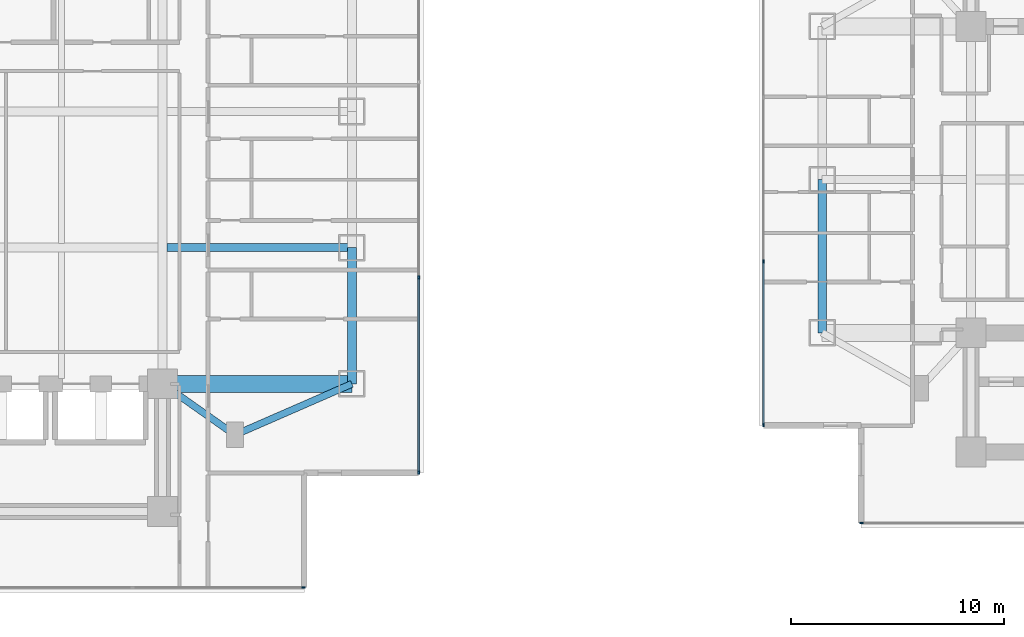
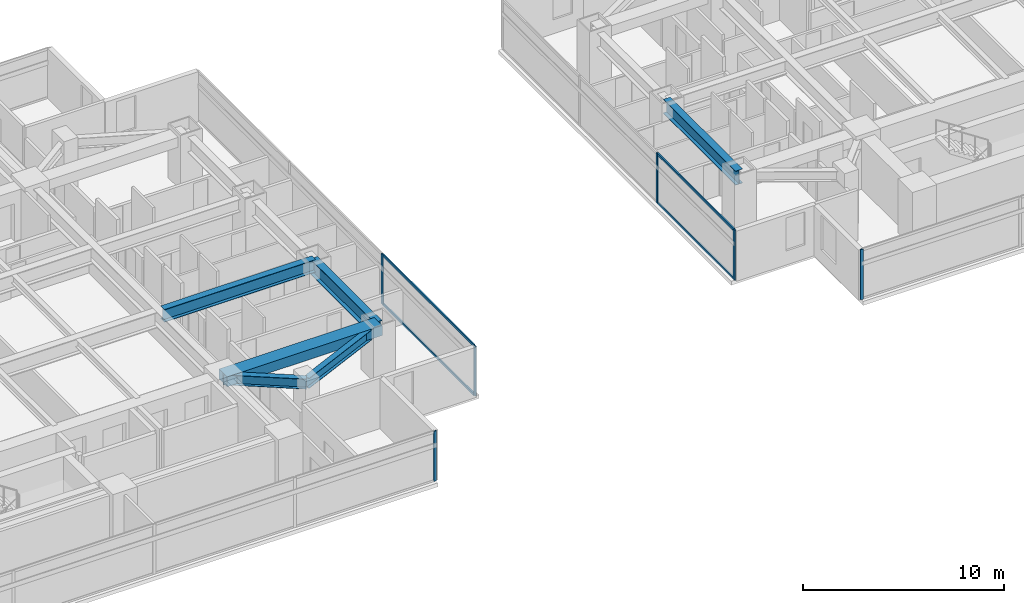
# One storey, part 4 of 23: 10 members, 6 beams, 4 elements without a shape of their own.
"""IFC4 building model written with IfcOpenShell, lengths in metres."""

from ifc_helpers import new_model, si_unit, direction, frame, origin, origin_2d, place, context, subcontext, project, spatial, rectangle, i_section, extrude, material, material_profile, profile_set, type_object, element, aggregate, save


model = new_model("IFC4")

# Units and contexts
model_context = context("Model", 3, precision=1e-05, world=origin(), true_north=direction((0.0, 1.0)))
body_context = subcontext(model_context, "Body", "Model", "MODEL_VIEW")
ifc_project = project(units=[si_unit("LENGTHUNIT", "METRE"), si_unit("AREAUNIT", "SQUARE_METRE"), si_unit("VOLUMEUNIT", "CUBIC_METRE"), si_unit("PLANEANGLEUNIT", "RADIAN"), si_unit("MASSUNIT", "GRAM", prefix="KILO")], contexts=[model_context])

# Site, building, storey
site_placement = place(None, origin())
site = spatial("IfcSite", under=ifc_project, at=site_placement, CompositionType="ELEMENT")
building_placement = place(site_placement, origin())
building = spatial("IfcBuilding", under=site, at=building_placement, Name="Mirazonda Arch Towers", CompositionType="ELEMENT")
storey_placement = place(building_placement, frame((0.0, 0.0, 29.0)))
storey = spatial("IfcBuildingStorey", under=building, at=storey_placement, Name="L07", CompositionType="ELEMENT", Elevation=29.0)

# Beams
ifc_material_1 = material(Name="Steel ASTM A992 Grade 50", Category="steel")
ifc_material_profile_1 = material_profile(ifc_material_1, i_section(OverallWidth=0.39990234375, OverallDepth=0.85595703125, WebThickness=0.018310546875, FlangeThickness=0.029296875, at=origin_2d()), Name="W33X201")
ifc_profile_set_1 = profile_set([ifc_material_profile_1], Name="Steel ASTM A992 Grade 50")
beam_type_1 = type_object("IfcBeamType", Name="BM-EXT-W33X201", PredefinedType="USERDEFINED", material=ifc_profile_set_1)
beam_1_placement = place(storey_placement, frame((61.0, 20.800048828125, 2.632080078125), z_axis=(0.0, 1.0, 0.0), x_axis=(-1.0, 0.0, 0.0)))
element("IfcBeam", 1, at=beam_1_placement, inside=storey, type_object=beam_type_1, Name="L07 Floor Beam BM-T2-L07-NS-W-20", ObjectType="GIRDER", PredefinedType="USERDEFINED", context=body_context, shape_type="SweptSolid", body=[
    extrude(i_section(OverallWidth=0.39990234375, OverallDepth=0.85595703125, WebThickness=0.018310546875, FlangeThickness=0.029296875, at=origin_2d()), origin(), (0.0, 0.0, 1.0), 7.199951171875),
])
ifc_material_profile_2 = material_profile(ifc_material_1, i_section(OverallWidth=0.41796875, OverallDepth=0.927001953125, WebThickness=0.019287109375, FlangeThickness=0.031982421875, at=origin_2d()), Name="W36X231")
ifc_profile_set_2 = profile_set([ifc_material_profile_2], Name="Steel ASTM A992 Grade 50")
beam_type_2 = type_object("IfcBeamType", Name="BM-EXT-W36X231", PredefinedType="USERDEFINED", material=ifc_profile_set_2)
beam_2_placement = place(storey_placement, frame((38.89990234375, 18.39990234375, 2.596435546875), z_axis=(0.0, 1.0, 0.0), x_axis=(-1.0, 0.0, 0.0)))
element("IfcBeam", 2, at=beam_2_placement, inside=storey, type_object=beam_type_2, Name="L07 Floor Beam BM-T1-L07-NS-E-18", ObjectType="GIRDER", PredefinedType="USERDEFINED", context=body_context, shape_type="SweptSolid", body=[
    extrude(i_section(OverallWidth=0.41796875, OverallDepth=0.927001953125, WebThickness=0.019287109375, FlangeThickness=0.031982421875, at=origin_2d()), origin(), (0.0, 0.0, 1.0), 6.400146484375),
])
ifc_material_profile_3 = material_profile(ifc_material_1, i_section(OverallWidth=0.324951171875, OverallDepth=0.615966796875, WebThickness=0.013916015625, FlangeThickness=0.021484375, at=origin_2d()), Name="W24X117")
ifc_profile_set_3 = profile_set([ifc_material_profile_3], Name="Steel ASTM A992 Grade 50")
beam_type_3 = type_object("IfcBeamType", Name="BM-INT-W24X117", PredefinedType="BEAM", material=ifc_profile_set_3)
beam_3_placement = place(storey_placement, frame((33.39990234375, 16.0, 2.751953125), z_axis=(-0.816971114901, 0.576678591087, 0.0), x_axis=(-0.576678591087, -0.816971114901, 0.0)))
element("IfcBeam", 3, at=beam_3_placement, inside=storey, type_object=beam_type_3, Name="L07 Floor Beam BM-T1-L07-PL-SE1", PredefinedType="BEAM", context=body_context, shape_type="SweptSolid", body=[
    extrude(i_section(OverallWidth=0.324951171875, OverallDepth=0.615966796875, WebThickness=0.013916015625, FlangeThickness=0.021484375, at=origin_2d()), origin(), (0.0, 0.0, 1.0), 4.16162109375),
])
beam_4_placement = place(storey_placement, frame((33.39990234375, 16.0, 2.751953125), z_axis=(0.916545343703, 0.399930785183, 0.0), x_axis=(-0.399930785183, 0.916545343703, 0.0)))
element("IfcBeam", 4, at=beam_4_placement, inside=storey, type_object=beam_type_3, Name="L07 Floor Beam BM-T1-L07-PL-SE2", PredefinedType="BEAM", context=body_context, shape_type="SweptSolid", body=[
    extrude(i_section(OverallWidth=0.324951171875, OverallDepth=0.615966796875, WebThickness=0.013916015625, FlangeThickness=0.021484375, at=origin_2d()), origin(), (0.0, 0.0, 1.0), 6.000732421875),
])
ifc_material_profile_4 = material_profile(ifc_material_1, i_section(OverallWidth=0.381103515625, OverallDepth=0.77294921875, WebThickness=0.0166015625, FlangeThickness=0.027099609375, at=origin_2d()), Name="W30X173")
ifc_profile_set_4 = profile_set([ifc_material_profile_4], Name="Steel ASTM A992 Grade 50")
beam_type_4 = type_object("IfcBeamType", Name="BM-INT-W30X173", PredefinedType="USERDEFINED", material=ifc_profile_set_4)
beam_5_placement = place(storey_placement, frame((30.21142578125, 24.800048828125, 2.673583984375), z_axis=(1.0, 0.0, 0.0), x_axis=(0.0, 1.0, 0.0)))
element("IfcBeam", 5, at=beam_5_placement, inside=storey, type_object=beam_type_4, Name="L07 Floor Beam BM-T1-L07-GE2", ObjectType="GIRDER", PredefinedType="USERDEFINED", context=body_context, shape_type="SweptSolid", body=[
    extrude(i_section(OverallWidth=0.381103515625, OverallDepth=0.77294921875, WebThickness=0.0166015625, FlangeThickness=0.027099609375, at=origin_2d()), origin(), (0.0, 0.0, 1.0), 8.6884765625),
])
ifc_material_2 = material(Name="Concrete C60/75", Category="concrete")
ifc_material_profile_5 = material_profile(ifc_material_2, rectangle(XDim=0.800048828125, YDim=0.60009765625, at=origin_2d()), Name="RCCB800x600")
ifc_profile_set_5 = profile_set([ifc_material_profile_5], Name="Concrete C60/75")
beam_type_5 = type_object("IfcBeamType", Name="CB-INT-RCCB800x600", PredefinedType="SPANDREL", material=ifc_profile_set_5)
beam_6_placement = place(storey_placement, frame((30.0, 18.39990234375, 2.760009765625), z_axis=(1.0, 0.0, 0.0), x_axis=(0.0, 1.0, 0.0)))
element("IfcBeam", 6, at=beam_6_placement, inside=storey, type_object=beam_type_5, Name="L07 Floor Beam CBC-T1-L07-SE", PredefinedType="SPANDREL", context=body_context, shape_type="SweptSolid", body=[
    extrude(rectangle(XDim=0.800048828125, YDim=0.60009765625, at=origin_2d()), origin(), (0.0, 0.0, 1.0), 8.89990234375),
])

# Curtain wall, member
ifc_material_3 = material(Name="Anodised Aluminium and Low-E Glass", Category="aluminium")
curtain_wall_type = type_object("IfcCurtainWallType", Name="CW-HTL-UNIT", PredefinedType="NOTDEFINED", material=ifc_material_3)
curtain_wall_1_placement = place(storey_placement, origin())
curtain_wall_1 = element("IfcCurtainWall", 7, at=curtain_wall_1_placement, inside=storey, type_object=curtain_wall_type, Name="L07 T1 S Facade CW-L07-T1-S", PredefinedType="NOTDEFINED")
ifc_material_4 = material(Name="Anodised Aluminium Alloy", Category="aluminium")
ifc_material_profile_6 = material_profile(ifc_material_4, rectangle(XDim=0.074951171875, YDim=0.1650390625, at=origin_2d()), Name="ALU-MULL-75x165")
ifc_profile_set_6 = profile_set([ifc_material_profile_6], Name="Anodised Aluminium Alloy")
member_type_1 = type_object("IfcMemberType", Name="MULL-CW-HTL-UNIT", PredefinedType="MULLION", material=ifc_profile_set_6)
member_1_placement = place(storey_placement, frame((36.62255859375, 8.823974609375, 0.0), z_axis=(0.0, 0.0, 1.0), x_axis=(0.0, -1.0, 0.0)))
member_1 = element("IfcMember", 8, at=member_1_placement, type_object=member_type_1, Name="CW-112 mullion 1", PredefinedType="MULLION", context=body_context, shape_type="SweptSolid", body=[
    extrude(rectangle(XDim=0.074951171875, YDim=0.1650390625, at=origin_2d()), origin(), (0.0, 0.0, 1.0), 3.0400390625),
])
aggregate(curtain_wall_1, [member_1])

# Curtain wall, members
curtain_wall_2_placement = place(storey_placement, origin())
curtain_wall_2 = element("IfcCurtainWall", 9, at=curtain_wall_2_placement, inside=storey, type_object=curtain_wall_type, Name="L07 T1 E Facade CW-L07-T1-E", PredefinedType="NOTDEFINED")
member_2_placement = place(storey_placement, frame((42.0400390625, 14.241455078125, 0.0), z_axis=(0.0, 0.0, 1.0), x_axis=(-1.0, 0.0, 0.0)))
member_2 = element("IfcMember", 10, at=member_2_placement, type_object=member_type_1, Name="CW-112 mullion 1", PredefinedType="MULLION", context=body_context, shape_type="SweptSolid", body=[
    extrude(rectangle(XDim=0.074951171875, YDim=0.1650390625, at=origin_2d()), origin(), (0.0, 0.0, 1.0), 3.0400390625),
])
member_3_placement = place(storey_placement, frame((42.0400390625, 23.4013671875, 0.0), z_axis=(0.0, 0.0, 1.0), x_axis=(-1.0, 0.0, 0.0)))
member_3 = element("IfcMember", 11, at=member_3_placement, type_object=member_type_1, Name="CW-112 mullion 2", PredefinedType="MULLION", context=body_context, shape_type="SweptSolid", body=[
    extrude(rectangle(XDim=0.074951171875, YDim=0.1650390625, at=origin_2d()), origin(), (0.0, 0.0, 1.0), 3.0400390625),
])

# Curtain wall, member
curtain_wall_3_placement = place(storey_placement, origin())
curtain_wall_3 = element("IfcCurtainWall", 12, at=curtain_wall_3_placement, inside=storey, type_object=curtain_wall_type, Name="L07 T2 S Facade CW-L07-T2-S", PredefinedType="NOTDEFINED")
member_4_placement = place(storey_placement, frame((62.861572265625, 11.853515625, 0.0), z_axis=(0.0, 0.0, 1.0), x_axis=(0.0, -1.0, 0.0)))
member_4 = element("IfcMember", 13, at=member_4_placement, type_object=member_type_1, Name="CW-112 mullion 4", PredefinedType="MULLION", context=body_context, shape_type="SweptSolid", body=[
    extrude(rectangle(XDim=0.074951171875, YDim=0.1650390625, at=origin_2d()), origin(), (0.0, 0.0, 1.0), 3.0400390625),
])
aggregate(curtain_wall_3, [member_4])

# Curtain wall, members
curtain_wall_4_placement = place(storey_placement, origin())
curtain_wall_4 = element("IfcCurtainWall", 14, at=curtain_wall_4_placement, inside=storey, type_object=curtain_wall_type, Name="L07 T2 W Facade CW-L07-T2-W", PredefinedType="NOTDEFINED")
member_5_placement = place(storey_placement, frame((58.243896484375, 24.14453125, 0.0), z_axis=(0.0, 0.0, 1.0), x_axis=(1.0, 0.0, 0.0)))
member_5 = element("IfcMember", 15, at=member_5_placement, type_object=member_type_1, Name="CW-112 mullion 3", PredefinedType="MULLION", context=body_context, shape_type="SweptSolid", body=[
    extrude(rectangle(XDim=0.074951171875, YDim=0.1650390625, at=origin_2d()), origin(), (0.0, 0.0, 1.0), 3.0400390625),
])
member_6_placement = place(storey_placement, frame((58.243896484375, 16.470947265625, 0.0), z_axis=(0.0, 0.0, 1.0), x_axis=(1.0, 0.0, 0.0)))
member_6 = element("IfcMember", 16, at=member_6_placement, type_object=member_type_1, Name="CW-112 mullion 4", PredefinedType="MULLION", context=body_context, shape_type="SweptSolid", body=[
    extrude(rectangle(XDim=0.074951171875, YDim=0.1650390625, at=origin_2d()), origin(), (0.0, 0.0, 1.0), 3.0400390625),
])

# Member
ifc_material_profile_7 = material_profile(ifc_material_4, rectangle(XDim=0.074951171875, YDim=0.14501953125, at=origin_2d()), Name="ALU-TRAN-75x145")
ifc_profile_set_7 = profile_set([ifc_material_profile_7], Name="Anodised Aluminium Alloy")
member_type_2 = type_object("IfcMemberType", Name="TRAN-CW-HTL-UNIT", PredefinedType="USERDEFINED", material=ifc_profile_set_7)
member_7_placement = place(storey_placement, frame((42.0400390625, 14.279052734375, 0.03759765625), z_axis=(0.0, 1.0, 0.0), x_axis=(-1.0, 0.0, 0.0)))
member_7 = element("IfcMember", 17, at=member_7_placement, type_object=member_type_2, Name="CW-112 transom 1.1", ObjectType="TRANSOM", PredefinedType="USERDEFINED", context=body_context, shape_type="SweptSolid", body=[
    extrude(rectangle(XDim=0.074951171875, YDim=0.14501953125, at=origin_2d()), origin(), (0.0, 0.0, 1.0), 9.084716796875),
])

member_8_placement = place(storey_placement, frame((42.0400390625, 14.279052734375, 3.00244140625), z_axis=(0.0, 1.0, 0.0), x_axis=(-1.0, 0.0, 0.0)))
member_8 = element("IfcMember", 18, at=member_8_placement, type_object=member_type_2, Name="CW-112 transom 1.2", ObjectType="TRANSOM", PredefinedType="USERDEFINED", context=body_context, shape_type="SweptSolid", body=[
    extrude(rectangle(XDim=0.074951171875, YDim=0.14501953125, at=origin_2d()), origin(), (0.0, 0.0, 1.0), 9.084716796875),
])

aggregate(curtain_wall_2, [member_2, member_3, member_7, member_8])

member_9_placement = place(storey_placement, frame((58.243896484375, 24.10693359375, 0.03759765625), z_axis=(0.0, -1.0, 0.0), x_axis=(1.0, 0.0, 0.0)))
member_9 = element("IfcMember", 19, at=member_9_placement, type_object=member_type_2, Name="CW-112 transom 3.1", ObjectType="TRANSOM", PredefinedType="USERDEFINED", context=body_context, shape_type="SweptSolid", body=[
    extrude(rectangle(XDim=0.074951171875, YDim=0.14501953125, at=origin_2d()), origin(), (0.0, 0.0, 1.0), 7.5986328125),
])

member_10_placement = place(storey_placement, frame((58.243896484375, 24.10693359375, 3.00244140625), z_axis=(0.0, -1.0, 0.0), x_axis=(1.0, 0.0, 0.0)))
member_10 = element("IfcMember", 20, at=member_10_placement, type_object=member_type_2, Name="CW-112 transom 3.2", ObjectType="TRANSOM", PredefinedType="USERDEFINED", context=body_context, shape_type="SweptSolid", body=[
    extrude(rectangle(XDim=0.074951171875, YDim=0.14501953125, at=origin_2d()), origin(), (0.0, 0.0, 1.0), 7.5986328125),
])

aggregate(curtain_wall_4, [member_5, member_6, member_9, member_10])

save(model, "model.ifc")
